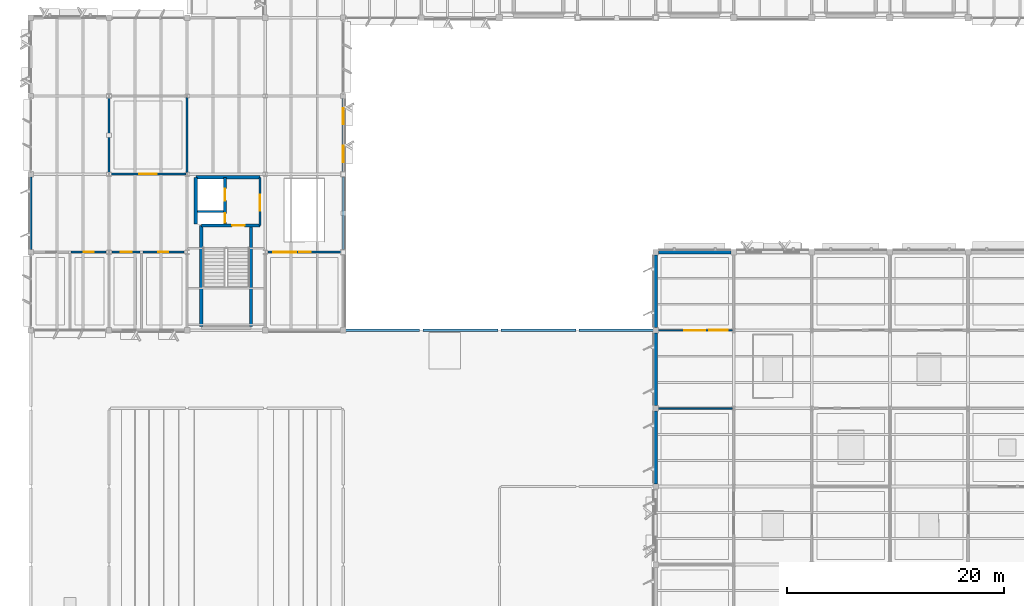
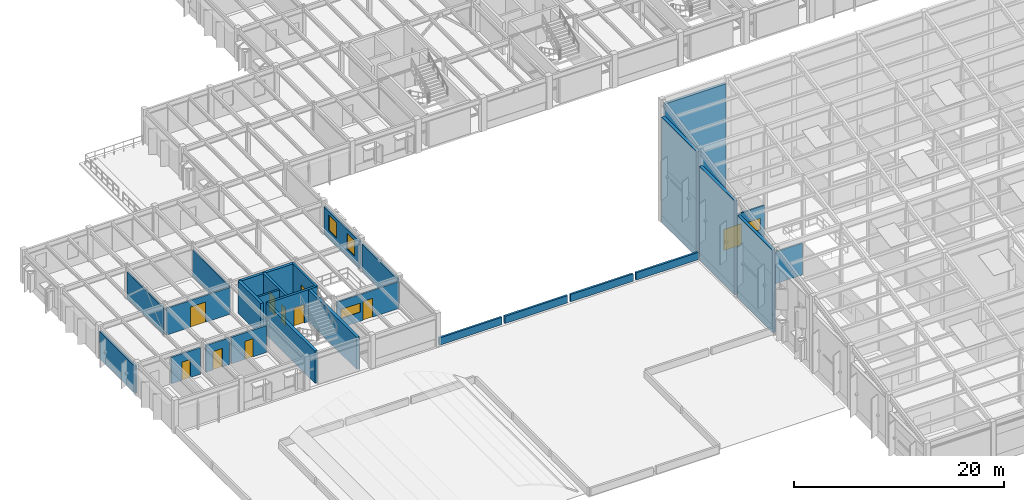
# One storey, part 32 of 82: 28 walls, 10 doors, 4 windows, 14 openings.
"""IFC4 building model written with IfcOpenShell, lengths in metres."""

import ifcopenshell
import ifcopenshell.guid

model = None  # the IFC model being written
_history = None  # IfcOwnerHistory: only IFC2X3 demands one
_inside = {}  # id of a spatial element -> (the spatial element, [elements in it])
_under = {}  # id of a project, library or spatial element -> (it, [spatial elements below it])
_declared = {}  # id of a project -> (the project, [libraries it declares])
_typed = {}  # id of a type object -> (the type object, [elements of that type])
_made_of = {}  # id of a material, layer set ... -> (it, [elements and type objects made of it])


def new_model(schema):
    """Start an empty IFC model of exactly this schema.

    Asked for "IFC4X3", IfcOpenShell would pick the latest addendum, in which some entities
    have other attributes; the version numbers below select the first issue.
    IFC2X3 requires an IfcOwnerHistory on every rooted entity: one is made here for all.
    """
    global model, _history
    if schema == "IFC4X3":
        model = ifcopenshell.file(schema_version=(4, 3, 0, 0))
    else:
        model = ifcopenshell.file(schema=schema)
    _inside.clear()
    _under.clear()
    _declared.clear()
    _typed.clear()
    _made_of.clear()
    _history = None
    if model.schema == "IFC2X3":
        org = make("IfcOrganization", Name="unknown")
        user = make(
            "IfcPersonAndOrganization",
            ThePerson=make("IfcPerson", FamilyName="unknown"),
            TheOrganization=org,
        )
        app = make(
            "IfcApplication",
            ApplicationDeveloper=org,
            Version="unknown",
            ApplicationFullName="unknown",
            ApplicationIdentifier="unknown",
        )
        _history = make(
            "IfcOwnerHistory",
            OwningUser=user,
            OwningApplication=app,
            ChangeAction="ADDED",
            CreationDate=0,
        )
    return model


def make(cls, **values):
    """One entity of the class cls with the attributes given. An attribute that is None is left unset."""
    return model.create_entity(
        cls, **{name: value for name, value in values.items() if value is not None}
    )


def rooted(cls, **values):
    """An entity with a GlobalId (a new one), such as an element, a storey or a relation."""
    return make(cls, GlobalId=ifcopenshell.guid.new(), OwnerHistory=_history, **values)


def si_unit(unit_type, name, prefix=None):
    """IfcSIUnit, for example si_unit("LENGTHUNIT", "METRE", prefix="MILLI")."""
    return make("IfcSIUnit", UnitType=unit_type, Prefix=prefix, Name=name)


def assignment(units):
    """IfcUnitAssignment: the units of a project."""
    return None if units is None else make("IfcUnitAssignment", Units=units)


def point(xyz):
    """IfcCartesianPoint."""
    return None if xyz is None else make("IfcCartesianPoint", Coordinates=xyz)


def direction(xyz):
    """IfcDirection."""
    return None if xyz is None else make("IfcDirection", DirectionRatios=xyz)


def frame(location, z_axis=None, x_axis=None):
    """IfcAxis2Placement3D, a coordinate frame: its origin and axes. An axis left out is left unset."""
    return make(
        "IfcAxis2Placement3D",
        Location=point(location),
        Axis=direction(z_axis),
        RefDirection=direction(x_axis),
    )


def frame_2d(location, x_axis=None):
    """IfcAxis2Placement2D, a coordinate frame in the plane: its origin and x axis."""
    return make(
        "IfcAxis2Placement2D", Location=point(location), RefDirection=direction(x_axis)
    )


def origin():
    """The frame at (0, 0, 0) with its axes left unset."""
    return frame((0.0, 0.0, 0.0))


def place(relative_to, where):
    """IfcLocalPlacement: puts the frame where relative to a parent placement (None: the world)."""
    return make(
        "IfcLocalPlacement", PlacementRelTo=relative_to, RelativePlacement=where
    )


def context(
    kind, dimensions, precision=None, world=None, true_north=None, identifier=None
):
    """IfcGeometricRepresentationContext, for example the 3D "Model" context."""
    return make(
        "IfcGeometricRepresentationContext",
        ContextIdentifier=identifier,
        ContextType=kind,
        CoordinateSpaceDimension=dimensions,
        Precision=precision,
        WorldCoordinateSystem=world,
        TrueNorth=true_north,
    )


def subcontext(parent, identifier, kind, view, scale=None):
    """IfcGeometricRepresentationSubContext, for example "Body" below "Model"."""
    return make(
        "IfcGeometricRepresentationSubContext",
        ContextIdentifier=identifier,
        ContextType=kind,
        ParentContext=parent,
        TargetScale=scale,
        TargetView=view,
    )


def project(units=None, contexts=None):
    """IfcProject with its units and contexts."""
    return rooted(
        "IfcProject",
        Name="project",
        RepresentationContexts=contexts,
        UnitsInContext=assignment(units),
    )


def spatial(cls, under=None, at=None, **own):
    """A site, building, storey or space (cls), placed at a placement, below another one or the project."""
    s = rooted(cls, ObjectPlacement=at, **own)
    if under is not None:
        _under.setdefault(under.id(), (under, []))[1].append(s)
    return s


def profile(cls, at=None, kind="AREA", **sizes):
    """A parametric profile (cls). Its sizes go by their IFC names, for example OverallWidth=200.0."""
    return make(cls, ProfileType=kind, Position=at, **sizes)


def rectangle(**sizes):
    """IfcRectangleProfileDef."""
    return profile("IfcRectangleProfileDef", **sizes)


def extrude(swept, where, along, depth):
    """IfcExtrudedAreaSolid: the profile swept, set in the frame where, extruded along a direction by depth."""
    return make(
        "IfcExtrudedAreaSolid",
        SweptArea=swept,
        Position=where,
        ExtrudedDirection=direction(along),
        Depth=depth,
    )


def shape(context_of_items, identifier, shape_type, items):
    """IfcShapeRepresentation: the items that make up one representation, for example the "Body"."""
    return make(
        "IfcShapeRepresentation",
        ContextOfItems=context_of_items,
        RepresentationIdentifier=identifier,
        RepresentationType=shape_type,
        Items=items,
    )


def material(Name=None, Category=None):
    """IfcMaterial."""
    return make("IfcMaterial", Name=Name, Category=Category)


def layer(
    of_material, thickness, ventilated=None, Name=None, Category=None, Priority=None
):
    """IfcMaterialLayer: one layer of a wall or slab, of a material (None: an air gap)."""
    return make(
        "IfcMaterialLayer",
        Material=of_material,
        LayerThickness=thickness,
        IsVentilated=ventilated,
        Name=Name,
        Category=Category,
        Priority=Priority,
    )


def layer_set(layers, Name=None):
    """IfcMaterialLayerSet."""
    return make("IfcMaterialLayerSet", MaterialLayers=layers, LayerSetName=Name)


def made_of(thing, what):
    """Note that an element or type object is made of a material, layer set ...; save() writes the relation."""
    if what is not None:
        _made_of.setdefault(what.id(), (what, []))[1].append(thing)
    return thing


def type_object(cls, material=None, **own):
    """A type object (cls), such as IfcWallType, which elements share."""
    return made_of(rooted(cls, **own), material)


def element(
    cls,
    number,
    at=None,
    inside=None,
    cuts=None,
    type_object=None,
    material=None,
    context=None,
    identifier="Body",
    shape_type=None,
    held_by="IfcProductDefinitionShape",
    body=None,
    shapes=None,
    **own,
):
    """One element of the class cls, such as IfcWall. Its Tag is "e" and its number.

    at: its placement. inside: the storey or other place that contains it. cuts: it is an
    opening in that element (IfcRelVoidsElement). A single representation is given by context,
    identifier, shape_type and body (its items); several are given by shapes. held_by: the class
    of the entity that holds the representations. save() writes the other relations.
    """
    e = rooted(cls, Tag="e%d" % number, ObjectPlacement=at, **own)
    if body is not None:
        shapes = [shape(context, identifier, shape_type, body)]
    if shapes is not None:
        e.Representation = make(held_by, Representations=shapes)
    if inside is not None:
        _inside.setdefault(inside.id(), (inside, []))[1].append(e)
    if cuts is not None:
        rooted(
            "IfcRelVoidsElement", RelatingBuildingElement=cuts, RelatedOpeningElement=e
        )
    if type_object is not None:
        _typed.setdefault(type_object.id(), (type_object, []))[1].append(e)
    return made_of(e, material)


def fill(opening, filler):
    """IfcRelFillsElement: the door or window that sits in an opening."""
    return rooted(
        "IfcRelFillsElement",
        RelatingOpeningElement=opening,
        RelatedBuildingElement=filler,
    )


def aggregate(whole, parts):
    """IfcRelAggregates: a whole, such as a stair, and the parts it consists of."""
    return rooted("IfcRelAggregates", RelatingObject=whole, RelatedObjects=parts)


def save(model, path):
    """Write the relations noted so far, then the file.

    IfcRelAggregates (storeys below a building ...), IfcRelContainedInSpatialStructure (elements
    in a storey), IfcRelDefinesByType, IfcRelAssociatesMaterial and IfcRelDeclares: one each for
    every whole, place, type object, material and project.
    """
    for whole, parts in _under.values():
        aggregate(whole, parts)
    for where, things in _inside.values():
        rooted(
            "IfcRelContainedInSpatialStructure",
            RelatedElements=things,
            RelatingStructure=where,
        )
    for kind, things in _typed.values():
        rooted("IfcRelDefinesByType", RelatedObjects=things, RelatingType=kind)
    for what, things in _made_of.values():
        rooted("IfcRelAssociatesMaterial", RelatedObjects=things, RelatingMaterial=what)
    for by, libraries in _declared.values():
        rooted("IfcRelDeclares", RelatingContext=by, RelatedDefinitions=libraries)
    model.write(path)


model = new_model("IFC4")

# Units and contexts
model_context = context("Model", 3, precision=1e-05, world=origin(), true_north=direction((0.0, 1.0)))
body_context = subcontext(model_context, "Body", "Model", "MODEL_VIEW")
ifc_project = project(units=[si_unit("LENGTHUNIT", "METRE"), si_unit("AREAUNIT", "SQUARE_METRE"), si_unit("VOLUMEUNIT", "CUBIC_METRE"), si_unit("PLANEANGLEUNIT", "RADIAN"), si_unit("MASSUNIT", "GRAM", prefix="KILO")], contexts=[model_context])

# Site, building, storey
site_placement = place(None, origin())
site = spatial("IfcSite", under=ifc_project, at=site_placement, CompositionType="ELEMENT")
building_placement = place(site_placement, origin())
building = spatial("IfcBuilding", under=site, at=building_placement, Name="Sillqori Civic Hall", CompositionType="ELEMENT")
storey_placement = place(building_placement, frame((0.0, 0.0, 14.10009765625)))
storey = spatial("IfcBuildingStorey", under=building, at=storey_placement, Name="L04", CompositionType="ELEMENT", Elevation=14.10009765625)

# Wall
ifc_material_1 = material(Name="Concrete C35/45 (H35)", Category="concrete")
ifc_layer_1 = layer(ifc_material_1, 0.219970703125)
ifc_layer_set_1 = layer_set([ifc_layer_1], Name="Concrete C35/45 (H35)")
wall_type_1 = type_object("IfcWallType", Name="CW-SHR-220", PredefinedType="SHEAR", material=ifc_layer_set_1)
wall_1_placement = place(storey_placement, frame((22.550048828125, 61.35009765625, 0.0), z_axis=(0.0, 0.0, 1.0), x_axis=(1.0, 0.0, 0.0)))
element("IfcWall", 1, at=wall_1_placement, inside=storey, type_object=wall_type_1, Name="L04 C4 Lift-riser divider wall", PredefinedType="SHEAR", context=body_context, shape_type="SweptSolid", body=[
    extrude(rectangle(XDim=2.39990234375, YDim=0.219970703125, at=frame_2d((1.199951171875, 0.0))), origin(), (0.0, 0.0, 1.0), 3.719970703125),
])

# Wall, opening, door
wall_2_placement = place(storey_placement, frame((28.320068359375, 64.5, 0.0), z_axis=(0.0, 0.0, 1.0), x_axis=(0.0, -1.0, 0.0)))
wall_2 = element("IfcWall", 2, at=wall_2_placement, inside=storey, type_object=wall_type_1, Name="L04 C4 firefighting lobby enclosure wall", PredefinedType="SHEAR", context=body_context, shape_type="SweptSolid", body=[
    extrude(rectangle(XDim=4.449951171875, YDim=0.219970703125, at=frame_2d((2.22509765625, 0.0))), origin(), (0.0, 0.0, 1.0), 3.719970703125),
])
opening_1_placement = place(wall_2_placement, frame((1.625, 0.0, 0.0)))
opening_1 = element("IfcOpeningElement", 3, at=opening_1_placement, cuts=wall_2, Name="Opening FD-03", PredefinedType="OPENING", context=body_context, shape_type="SweptSolid", body=[
    extrude(rectangle(XDim=1.449951171875, YDim=2.199951171875, at=frame_2d((0.72509765625, 1.10009765625))), frame((0.0, 0.119873046875, 0.0), z_axis=(0.0, -1.0, 0.0), x_axis=(1.0, 0.0, 0.0)), (0.0, 0.0, 1.0), 0.239990234375),
])
ifc_material_2 = material(Name="Double-Leaf Smoke-Seal Lobby Door", Category="steel")
door_type_1 = type_object("IfcDoorType", Name="FDR-LOB-145X220", OperationType="NOTDEFINED", PredefinedType="DOOR", material=ifc_material_2)
door_1_placement = place(opening_1_placement, origin())
door_1 = element("IfcDoor", 4, at=door_1_placement, inside=storey, type_object=door_type_1, Name="L04 C4 firefighting lobby exit door", OperationType="DOUBLE_DOOR_SINGLE_SWING", OverallHeight=2.199951171875, OverallWidth=1.449951171875, PredefinedType="DOOR", context=body_context, shape_type="SweptSolid", body=[
    extrude(rectangle(XDim=1.449951171875, YDim=2.199951171875, at=frame_2d((0.72509765625, 1.10009765625))), frame((0.0, 0.02490234375, 0.0), z_axis=(0.0, -1.0, 0.0), x_axis=(1.0, 0.0, 0.0)), (0.0, 0.0, 1.0), 0.050048828125),
])
fill(opening_1, door_1)

ifc_layer_2 = layer(ifc_material_1, 0.260009765625)
ifc_layer_set_2 = layer_set([ifc_layer_2], Name="Concrete C35/45 (H35)")
wall_type_2 = type_object("IfcWallType", Name="CW-SHR-260", PredefinedType="SHEAR", material=ifc_layer_set_2)
wall_3_placement = place(storey_placement, frame((22.909912109375, 60.050048828125, 0.0), z_axis=(0.0, 0.0, 1.0), x_axis=(1.0, 0.0, 0.0)))
wall_3 = element("IfcWall", 5, at=wall_3_placement, inside=storey, type_object=wall_type_2, Name="L04 C4 Stair-lobby fire wall", PredefinedType="SHEAR", context=body_context, shape_type="SweptSolid", body=[
    extrude(rectangle(XDim=5.41015625, YDim=0.260009765625, at=frame_2d((2.705078125, 0.0))), origin(), (0.0, 0.0, 1.0), 3.719970703125),
])
opening_2_placement = place(wall_3_placement, frame((2.840087890625, 0.0, 0.0)))
opening_2 = element("IfcOpeningElement", 6, at=opening_2_placement, cuts=wall_3, Name="Opening FD-01", PredefinedType="OPENING", context=body_context, shape_type="SweptSolid", body=[
    extrude(rectangle(XDim=1.14990234375, YDim=2.14990234375, at=frame_2d((0.574951171875, 1.074951171875))), frame((0.0, 0.139892578125, 0.0), z_axis=(0.0, -1.0, 0.0), x_axis=(1.0, 0.0, 0.0)), (0.0, 0.0, 1.0), 0.280029296875),
])
ifc_material_3 = material(Name="Galvanized Steel Fire Door FD90S", Category="steel")
door_type_2 = type_object("IfcDoorType", Name="FDR-STR-115X215", OperationType="NOTDEFINED", PredefinedType="DOOR", material=ifc_material_3)
door_2_placement = place(opening_2_placement, origin())
door_2 = element("IfcDoor", 7, at=door_2_placement, inside=storey, type_object=door_type_2, Name="L04 stair ST-04 fire door", OperationType="SINGLE_SWING_RIGHT", OverallHeight=2.14990234375, OverallWidth=1.14990234375, PredefinedType="DOOR", context=body_context, shape_type="SweptSolid", body=[
    extrude(rectangle(XDim=1.14990234375, YDim=2.14990234375, at=frame_2d((0.574951171875, 1.074951171875))), frame((0.0, 0.02490234375, 0.0), z_axis=(0.0, -1.0, 0.0), x_axis=(1.0, 0.0, 0.0)), (0.0, 0.0, 1.0), 0.050048828125),
])
fill(opening_2, door_2)

# Wall, openings, doors
wall_4_placement = place(storey_placement, frame((25.10009765625, 64.5, 0.0), z_axis=(0.0, 0.0, 1.0), x_axis=(0.0, -1.0, 0.0)))
wall_4 = element("IfcWall", 8, at=wall_4_placement, inside=storey, type_object=wall_type_2, Name="L04 C4 Lift landing & riser front wall", PredefinedType="SHEAR", context=body_context, shape_type="SweptSolid", body=[
    extrude(rectangle(XDim=4.320068359375, YDim=0.260009765625, at=frame_2d((2.16015625, 0.0))), origin(), (0.0, 0.0, 1.0), 3.719970703125),
])
opening_3_placement = place(wall_4_placement, frame((1.050048828125, 0.0, 0.0)))
opening_3 = element("IfcOpeningElement", 9, at=opening_3_placement, cuts=wall_4, Name="Opening LD-01", PredefinedType="OPENING", context=body_context, shape_type="SweptSolid", body=[
    extrude(rectangle(XDim=1.10009765625, YDim=2.14990234375, at=frame_2d((0.550048828125, 1.074951171875))), frame((0.0, 0.139892578125, 0.0), z_axis=(0.0, -1.0, 0.0), x_axis=(1.0, 0.0, 0.0)), (0.0, 0.0, 1.0), 0.280029296875),
])
opening_4_placement = place(wall_4_placement, frame((3.324951171875, 0.0, 0.0)))
opening_4 = element("IfcOpeningElement", 10, at=opening_4_placement, cuts=wall_4, Name="Opening FD-05", PredefinedType="OPENING", context=body_context, shape_type="SweptSolid", body=[
    extrude(rectangle(XDim=0.85009765625, YDim=2.050048828125, at=frame_2d((0.425048828125, 1.02490234375))), frame((0.0, 0.139892578125, 0.0), z_axis=(0.0, -1.0, 0.0), x_axis=(1.0, 0.0, 0.0)), (0.0, 0.0, 1.0), 0.280029296875),
])
ifc_material_4 = material(Name="Steel Riser Access Fire Door", Category="steel")
door_type_3 = type_object("IfcDoorType", Name="FDR-RSR-085X205", OperationType="NOTDEFINED", PredefinedType="DOOR", material=ifc_material_4)
door_3_placement = place(opening_4_placement, origin())
door_3 = element("IfcDoor", 11, at=door_3_placement, inside=storey, type_object=door_type_3, Name="L04 MEP riser C4 fire access door", OperationType="SINGLE_SWING_LEFT", OverallHeight=2.050048828125, OverallWidth=0.85009765625, PredefinedType="DOOR", context=body_context, shape_type="SweptSolid", body=[
    extrude(rectangle(XDim=0.85009765625, YDim=2.050048828125, at=frame_2d((0.425048828125, 1.02490234375))), frame((0.0, 0.02490234375, 0.0), z_axis=(0.0, -1.0, 0.0), x_axis=(1.0, 0.0, 0.0)), (0.0, 0.0, 1.0), 0.050048828125),
])
fill(opening_4, door_3)
ifc_material_5 = material(Name="Stainless Steel Lift Landing Door", Category="steel")
door_type_4 = type_object("IfcDoorType", Name="LDR-PASS-110X215", OperationType="NOTDEFINED", PredefinedType="DOOR", material=ifc_material_5)
door_4_placement = place(opening_3_placement, origin())
door_4 = element("IfcDoor", 12, at=door_4_placement, inside=storey, type_object=door_type_4, Name="L04 lift LF-06 sliding landing door", OperationType="DOUBLE_DOOR_SLIDING", OverallHeight=2.14990234375, OverallWidth=1.10009765625, PredefinedType="DOOR", context=body_context, shape_type="SweptSolid", body=[
    extrude(rectangle(XDim=1.10009765625, YDim=2.14990234375, at=frame_2d((0.550048828125, 1.074951171875))), frame((0.0, 0.02490234375, 0.0), z_axis=(0.0, -1.0, 0.0), x_axis=(1.0, 0.0, 0.0)), (0.0, 0.0, 1.0), 0.050048828125),
])
fill(opening_3, door_4)

# Walls
ifc_layer_3 = layer(ifc_material_1, 0.300048828125)
ifc_layer_set_3 = layer_set([ifc_layer_3], Name="Concrete C35/45 (H35)")
wall_type_3 = type_object("IfcWallType", Name="CW-SHR-300", PredefinedType="SHEAR", material=ifc_layer_set_3)
for number, where, z_axis, x_axis, name in (
    (13, (22.909912109375, 50.75, 0.0), (0.0, 0.0, 1.0), (0.0, 1.0, 0.0), "L04 C4 Stair west shear wall"),
    (14, (27.489990234375, 50.75, 0.0), (0.0, 0.0, 1.0), (0.0, 1.0, 0.0), "L04 C4 Stair east shear wall"),
):
    element("IfcWall", number, at=place(storey_placement, frame(where, z_axis=z_axis, x_axis=x_axis)), inside=storey, type_object=wall_type_3, Name=name, PredefinedType="SHEAR", context=body_context, shape_type="SweptSolid", body=[
        extrude(rectangle(XDim=9.300048828125, YDim=0.300048828125, at=frame_2d((4.64990234375, 0.0))), origin(), (0.0, 0.0, 1.0), 3.719970703125),
    ])
wall_5_placement = place(storey_placement, frame((22.39990234375, 60.179931640625, 0.0), z_axis=(0.0, 0.0, 1.0), x_axis=(0.0, 1.0, 0.0)))
element("IfcWall", 15, at=wall_5_placement, inside=storey, type_object=wall_type_3, Name="L04 C4 Lift shaft west shear wall", PredefinedType="SHEAR", context=body_context, shape_type="SweptSolid", body=[
    extrude(rectangle(XDim=4.320068359375, YDim=0.300048828125, at=frame_2d((2.16015625, 0.0))), origin(), (0.0, 0.0, 1.0), 3.719970703125),
])
wall_6_placement = place(storey_placement, frame((22.39990234375, 64.5, 0.0), z_axis=(0.0, 0.0, 1.0), x_axis=(1.0, 0.0, 0.0)))
element("IfcWall", 16, at=wall_6_placement, inside=storey, type_object=wall_type_3, Name="L04 C4 Core north shear wall", PredefinedType="SHEAR", context=body_context, shape_type="SweptSolid", body=[
    extrude(rectangle(XDim=5.920166015625, YDim=0.300048828125, at=frame_2d((2.9599609375, 0.0))), origin(), (0.0, 0.0, 1.0), 3.719970703125),
])
ifc_material_6 = material(Name="Precast concrete C40/50 (H40)", Category="concrete")
ifc_layer_4 = layer(ifc_material_6, 0.320068359375)
ifc_layer_set_4 = layer_set([ifc_layer_4], Name="Precast concrete C40/50 (H40)")
wall_type_4 = type_object("IfcWallType", Name="EW-LIME-320", PredefinedType="SOLIDWALL", material=ifc_layer_set_4)
wall_7_placement = place(storey_placement, frame((64.800048828125, 36.25, 0.0), z_axis=(0.0, 0.0, 1.0), x_axis=(0.0, 1.0, 0.0)))
element("IfcWall", 17, at=wall_7_placement, inside=storey, type_object=wall_type_4, Name="L04 V2 exterior wall L04-09-05-W", PredefinedType="SOLIDWALL", context=body_context, shape_type="SweptSolid", body=[
    extrude(rectangle(XDim=6.699951171875, YDim=0.320068359375, at=frame_2d((3.35009765625, 0.0))), origin(), (0.0, 0.0, 1.0), 9.564697265625),
])
wall_8_placement = place(storey_placement, frame((64.800048828125, 43.449951171875, 0.0), z_axis=(0.0, 0.0, 1.0), x_axis=(0.0, 1.0, 0.0)))
element("IfcWall", 18, at=wall_8_placement, inside=storey, type_object=wall_type_4, Name="L04 V2 exterior wall L04-09-06-W", PredefinedType="SOLIDWALL", context=body_context, shape_type="SweptSolid", body=[
    extrude(rectangle(XDim=6.699951171875, YDim=0.320068359375, at=frame_2d((3.35009765625, 0.0))), origin(), (0.0, 0.0, 1.0), 10.907470703125),
])
wall_9_placement = place(storey_placement, frame((65.050048828125, 57.60009765625, 0.0), z_axis=(0.0, 0.0, 1.0), x_axis=(1.0, 0.0, 0.0)))
element("IfcWall", 19, at=wall_9_placement, inside=storey, type_object=wall_type_4, Name="L04 V2 exterior wall L04-09-07-N", PredefinedType="SOLIDWALL", context=body_context, shape_type="SweptSolid", body=[
    extrude(rectangle(XDim=6.699951171875, YDim=0.320068359375, at=frame_2d((3.35009765625, 0.0))), origin(), (0.0, 0.0, 1.0), 13.549072265625),
])
wall_10_placement = place(storey_placement, frame((64.800048828125, 50.64990234375, 0.0), z_axis=(0.0, 0.0, 1.0), x_axis=(0.0, 1.0, 0.0)))
element("IfcWall", 20, at=wall_10_placement, inside=storey, type_object=wall_type_4, Name="L04 V2 exterior wall L04-09-07-W", PredefinedType="SOLIDWALL", context=body_context, shape_type="SweptSolid", body=[
    extrude(rectangle(XDim=6.7001953125, YDim=0.320068359375, at=frame_2d((3.35009765625, 0.0))), origin(), (0.0, 0.0, 1.0), 12.25048828125),
])
ifc_material_7 = material(Name="Concrete C30/37 (H30)", Category="concrete")
ifc_layer_5 = layer(ifc_material_7, 0.239990234375)
ifc_layer_set_5 = layer_set([ifc_layer_5], Name="Concrete C30/37 (H30)")
wall_type_5 = type_object("IfcWallType", Name="EW-MAS-240", PredefinedType="SOLIDWALL", material=ifc_layer_set_5)
wall_11_placement = place(storey_placement, frame((7.199951171875, 57.85009765625, 0.0), z_axis=(0.0, 0.0, 1.0), x_axis=(0.0, 1.0, 0.0)))
element("IfcWall", 21, at=wall_11_placement, inside=storey, type_object=wall_type_5, Name="L04 V5 exterior wall L04-01-08-W", PredefinedType="SOLIDWALL", context=body_context, shape_type="SweptSolid", body=[
    extrude(rectangle(XDim=6.699951171875, YDim=0.239990234375, at=frame_2d((3.35009765625, 0.0))), origin(), (0.0, 0.0, 1.0), 3.171875),
])
wall_12_placement = place(storey_placement, frame((36.0, 64.550048828125, 0.0), z_axis=(0.0, 0.0, 1.0), x_axis=(0.0, -1.0, 0.0)))
element("IfcWall", 22, at=wall_12_placement, inside=storey, type_object=wall_type_5, Name="L04 V5 exterior wall L04-04-08-E", PredefinedType="SOLIDWALL", context=body_context, shape_type="SweptSolid", body=[
    extrude(rectangle(XDim=6.699951171875, YDim=0.239990234375, at=frame_2d((3.35009765625, 0.0))), origin(), (0.0, 0.0, 1.0), 3.19189453125),
])

# Wall, openings, windows
wall_13_placement = place(storey_placement, frame((36.0, 71.75, 0.0), z_axis=(0.0, 0.0, 1.0), x_axis=(0.0, -1.0, 0.0)))
wall_13 = element("IfcWall", 23, at=wall_13_placement, inside=storey, type_object=wall_type_5, Name="L04 V5 exterior wall L04-04-09-E", PredefinedType="SOLIDWALL", context=body_context, shape_type="SweptSolid", body=[
    extrude(rectangle(XDim=6.699951171875, YDim=0.239990234375, at=frame_2d((3.35009765625, 0.0))), origin(), (0.0, 0.0, 1.0), 3.19189453125),
])
opening_5_placement = place(wall_13_placement, frame((0.85791015625, 0.0, 0.949951171875)))
opening_5 = element("IfcOpeningElement", 24, at=opening_5_placement, cuts=wall_13, Name="Opening W-19", PredefinedType="OPENING", context=body_context, shape_type="SweptSolid", body=[
    extrude(rectangle(XDim=1.5, YDim=1.800048828125, at=frame_2d((0.75, 0.89990234375))), frame((0.0, 0.1298828125, 0.0), z_axis=(0.0, -1.0, 0.0), x_axis=(1.0, 0.0, 0.0)), (0.0, 0.0, 1.0), 0.260009765625),
])
opening_6_placement = place(wall_13_placement, frame((4.342041015625, 0.0, 0.949951171875)))
opening_6 = element("IfcOpeningElement", 25, at=opening_6_placement, cuts=wall_13, Name="Opening W-19", PredefinedType="OPENING", context=body_context, shape_type="SweptSolid", body=[
    extrude(rectangle(XDim=1.5, YDim=1.800048828125, at=frame_2d((0.75, 0.89990234375))), frame((0.0, 0.1298828125, 0.0), z_axis=(0.0, -1.0, 0.0), x_axis=(1.0, 0.0, 0.0)), (0.0, 0.0, 1.0), 0.260009765625),
])
ifc_material_8 = material(Name="Thermally Broken Aluminium Low-E Window", Category="aluminium")
window_type_1 = type_object("IfcWindowType", Name="WIN-V5-150X180", PartitioningType="SINGLE_PANEL", PredefinedType="WINDOW", material=ifc_material_8)
window_1_placement = place(opening_5_placement, origin())
window_1 = element("IfcWindow", 26, at=window_1_placement, inside=storey, type_object=window_type_1, Name="L04 V5 window L04-04-09-E.1", OverallHeight=1.800048828125, OverallWidth=1.5, PartitioningType="SINGLE_PANEL", PredefinedType="WINDOW", context=body_context, shape_type="SweptSolid", body=[
    extrude(rectangle(XDim=1.5, YDim=1.800048828125, at=frame_2d((0.75, 0.89990234375))), frame((0.0, 0.030029296875, 0.0), z_axis=(0.0, -1.0, 0.0), x_axis=(1.0, 0.0, 0.0)), (0.0, 0.0, 1.0), 0.06005859375),
])
fill(opening_5, window_1)
window_2_placement = place(opening_6_placement, origin())
window_2 = element("IfcWindow", 27, at=window_2_placement, inside=storey, type_object=window_type_1, Name="L04 V5 window L04-04-09-E.2", OverallHeight=1.800048828125, OverallWidth=1.5, PartitioningType="SINGLE_PANEL", PredefinedType="WINDOW", context=body_context, shape_type="SweptSolid", body=[
    extrude(rectangle(XDim=1.5, YDim=1.800048828125, at=frame_2d((0.75, 0.89990234375))), frame((0.0, 0.030029296875, 0.0), z_axis=(0.0, -1.0, 0.0), x_axis=(1.0, 0.0, 0.0)), (0.0, 0.0, 1.0), 0.06005859375),
])
fill(opening_6, window_2)

# Wall, opening, door
ifc_material_9 = material(Name="Committee Acoustic Baffle Wall 162", Category="gypsum")
ifc_layer_6 = layer(ifc_material_9, 0.162109375)
ifc_layer_set_6 = layer_set([ifc_layer_6], Name="Committee Acoustic Baffle Wall 162")
wall_type_6 = type_object("IfcWallType", Name="PT-GYP-162", PredefinedType="PARTITIONING", material=ifc_layer_set_6)
wall_14_placement = place(storey_placement, frame((21.47998046875, 64.800048828125, 0.0), z_axis=(0.0, 0.0, 1.0), x_axis=(-1.0, 0.0, 0.0)))
wall_14 = element("IfcWall", 28, at=wall_14_placement, inside=storey, type_object=wall_type_6, Name="Ethics and Oversight Committee Room partition S1", PredefinedType="PARTITIONING", context=body_context, shape_type="SweptSolid", body=[
    extrude(rectangle(XDim=6.9599609375, YDim=0.162109375, at=frame_2d((3.47998046875, 0.0))), origin(), (0.0, 0.0, 1.0), 3.10791015625),
])
opening_7_placement = place(wall_14_placement, frame((2.655029296875, 0.0, 0.0)))
opening_7 = element("IfcOpeningElement", 29, at=opening_7_placement, cuts=wall_14, Name="Opening ID-04", PredefinedType="OPENING", context=body_context, shape_type="SweptSolid", body=[
    extrude(rectangle(XDim=1.64990234375, YDim=2.35009765625, at=frame_2d((0.824951171875, 1.175048828125))), frame((0.0, 0.091064453125, 0.0), z_axis=(0.0, -1.0, 0.0), x_axis=(1.0, 0.0, 0.0)), (0.0, 0.0, 1.0), 0.18212890625),
])
ifc_material_10 = material(Name="Caucus Salon Acoustic Double Door", Category="timber")
door_type_5 = type_object("IfcDoorType", Name="IDR-COM-165X235", OperationType="NOTDEFINED", PredefinedType="DOOR", material=ifc_material_10)
door_5_placement = place(opening_7_placement, origin())
door_5 = element("IfcDoor", 30, at=door_5_placement, inside=storey, type_object=door_type_5, Name="Ethics and Oversight Committee Room entrance door", OperationType="DOUBLE_DOOR_SINGLE_SWING", OverallHeight=2.35009765625, OverallWidth=1.64990234375, PredefinedType="DOOR", context=body_context, shape_type="SweptSolid", body=[
    extrude(rectangle(XDim=1.64990234375, YDim=2.35009765625, at=frame_2d((0.824951171875, 1.175048828125))), frame((0.0, 0.02490234375, 0.0), z_axis=(0.0, -1.0, 0.0), x_axis=(1.0, 0.0, 0.0)), (0.0, 0.0, 1.0), 0.050048828125),
])
fill(opening_7, door_5)

# Walls
wall_15_placement = place(storey_placement, frame((14.39990234375, 64.919921875, 0.0), z_axis=(0.0, 0.0, 1.0), x_axis=(0.0, 1.0, 0.0)))
element("IfcWall", 31, at=wall_15_placement, inside=storey, type_object=wall_type_6, Name="Ethics and Oversight Committee Room partition W3", PredefinedType="PARTITIONING", context=body_context, shape_type="SweptSolid", body=[
    extrude(rectangle(XDim=6.9599609375, YDim=0.162109375, at=frame_2d((3.47998046875, 0.0))), origin(), (0.0, 0.0, 1.0), 3.087890625),
])
wall_16_placement = place(storey_placement, frame((21.60009765625, 71.8798828125, 0.0), z_axis=(0.0, 0.0, 1.0), x_axis=(0.0, -1.0, 0.0)))
element("IfcWall", 32, at=wall_16_placement, inside=storey, type_object=wall_type_6, Name="Ethics and Oversight Committee Room partition E4", PredefinedType="PARTITIONING", context=body_context, shape_type="SweptSolid", body=[
    extrude(rectangle(XDim=6.9599609375, YDim=0.162109375, at=frame_2d((3.47998046875, 0.0))), origin(), (0.0, 0.0, 1.0), 3.10791015625),
])

# Wall, openings, door, window
ifc_material_11 = material(Name="Concrete C25/30 (H25)", Category="concrete")
ifc_layer_7 = layer(ifc_material_11, 0.175048828125)
ifc_layer_set_7 = layer_set([ifc_layer_7], Name="Concrete C25/30 (H25)")
wall_type_7 = type_object("IfcWallType", Name="PT-MAS-175", PredefinedType="PARTITIONING", material=ifc_layer_set_7)
wall_17_placement = place(storey_placement, frame((29.080078125, 57.60009765625, 0.0), z_axis=(0.0, 0.0, 1.0), x_axis=(1.0, 0.0, 0.0)))
wall_17 = element("IfcWall", 33, at=wall_17_placement, inside=storey, type_object=wall_type_7, Name="Councillors Legislative Research Suite partition N1", PredefinedType="PARTITIONING", context=body_context, shape_type="SweptSolid", body=[
    extrude(rectangle(XDim=6.7998046875, YDim=0.175048828125, at=frame_2d((3.39990234375, 0.0))), origin(), (0.0, 0.0, 1.0), 3.10791015625),
])
opening_8_placement = place(wall_17_placement, frame((2.8701171875, 0.0, 0.0)))
opening_8 = element("IfcOpeningElement", 34, at=opening_8_placement, cuts=wall_17, Name="Opening ID-26", PredefinedType="OPENING", context=body_context, shape_type="SweptSolid", body=[
    extrude(rectangle(XDim=1.06005859375, YDim=2.179931640625, at=frame_2d((0.530029296875, 1.08984375))), frame((0.0, 0.097412109375, 0.0), z_axis=(0.0, -1.0, 0.0), x_axis=(1.0, 0.0, 0.0)), (0.0, 0.0, 1.0), 0.195068359375),
])
opening_9_placement = place(wall_17_placement, frame((0.449951171875, 0.0, 1.050048828125)))
opening_9 = element("IfcOpeningElement", 35, at=opening_9_placement, cuts=wall_17, Name="Opening IW-35", PredefinedType="OPENING", context=body_context, shape_type="SweptSolid", body=[
    extrude(rectangle(XDim=2.1201171875, YDim=1.06005859375, at=frame_2d((1.06005859375, 0.530029296875))), frame((0.0, 0.097412109375, 0.0), z_axis=(0.0, -1.0, 0.0), x_axis=(1.0, 0.0, 0.0)), (0.0, 0.0, 1.0), 0.195068359375),
])
ifc_material_12 = material(Name="Directorate Cedar Door 1060", Category="timber")
door_type_6 = type_object("IfcDoorType", Name="IDR-DIR-106X218", OperationType="NOTDEFINED", PredefinedType="DOOR", material=ifc_material_12)
door_6_placement = place(opening_8_placement, origin())
door_6 = element("IfcDoor", 36, at=door_6_placement, inside=storey, type_object=door_type_6, Name="Councillors Legislative Research Suite entrance door", OperationType="SINGLE_SWING_RIGHT", OverallHeight=2.179931640625, OverallWidth=1.06005859375, PredefinedType="DOOR", context=body_context, shape_type="SweptSolid", body=[
    extrude(rectangle(XDim=1.06005859375, YDim=2.179931640625, at=frame_2d((0.530029296875, 1.08984375))), frame((0.0, 0.02490234375, 0.0), z_axis=(0.0, -1.0, 0.0), x_axis=(1.0, 0.0, 0.0)), (0.0, 0.0, 1.0), 0.050048828125),
])
fill(opening_8, door_6)
ifc_material_13 = material(Name="Acoustic Laminated Interior Clerestory Glazing", Category="glass")
window_type_2 = type_object("IfcWindowType", Name="IWN-GAL-212X106", PartitioningType="SINGLE_PANEL", PredefinedType="WINDOW", material=ifc_material_13)
window_3_placement = place(opening_9_placement, origin())
window_3 = element("IfcWindow", 37, at=window_3_placement, inside=storey, type_object=window_type_2, Name="Councillors Legislative Research Suite borrowed-light screen", OverallHeight=1.06005859375, OverallWidth=2.1201171875, PartitioningType="SINGLE_PANEL", PredefinedType="WINDOW", context=body_context, shape_type="SweptSolid", body=[
    extrude(rectangle(XDim=2.1201171875, YDim=1.06005859375, at=frame_2d((1.06005859375, 0.530029296875))), frame((0.0, 0.030029296875, 0.0), z_axis=(0.0, -1.0, 0.0), x_axis=(1.0, 0.0, 0.0)), (0.0, 0.0, 1.0), 0.06005859375),
])
fill(opening_9, window_3)

# Wall, opening, door
ifc_layer_8 = layer(ifc_material_11, 0.18994140625)
ifc_layer_set_8 = layer_set([ifc_layer_8], Name="Concrete C25/30 (H25)")
wall_type_8 = type_object("IfcWallType", Name="PT-MAS-190", PredefinedType="PARTITIONING", material=ifc_layer_set_8)
wall_18_placement = place(storey_placement, frame((10.919921875, 57.60009765625, 0.0), z_axis=(0.0, 0.0, 1.0), x_axis=(1.0, 0.0, 0.0)))
wall_18 = element("IfcWall", 38, at=wall_18_placement, inside=storey, type_object=wall_type_8, Name="L04 Public Female WC partition N1", PredefinedType="PARTITIONING", context=body_context, shape_type="SweptSolid", body=[
    extrude(rectangle(XDim=3.2001953125, YDim=0.18994140625, at=frame_2d((1.60009765625, 0.0))), origin(), (0.0, 0.0, 1.0), 3.087890625),
])
opening_10_placement = place(wall_18_placement, frame((1.139892578125, 0.0, 0.0)))
opening_10 = element("IfcOpeningElement", 39, at=opening_10_placement, cuts=wall_18, Name="Opening ID-19", PredefinedType="OPENING", context=body_context, shape_type="SweptSolid", body=[
    extrude(rectangle(XDim=0.919921875, YDim=2.10009765625, at=frame_2d((0.4599609375, 1.050048828125))), frame((0.0, 0.10498046875, 0.0), z_axis=(0.0, -1.0, 0.0), x_axis=(1.0, 0.0, 0.0)), (0.0, 0.0, 1.0), 0.2099609375),
])
ifc_material_14 = material(Name="Moisture-Resistant Sanitary Door 920", Category="timber")
door_type_7 = type_object("IfcDoorType", Name="IDR-WC-092X210", OperationType="NOTDEFINED", PredefinedType="DOOR", material=ifc_material_14)
door_7_placement = place(opening_10_placement, origin())
door_7 = element("IfcDoor", 40, at=door_7_placement, inside=storey, type_object=door_type_7, Name="L04 Public Female WC entrance door", OperationType="SINGLE_SWING_RIGHT", OverallHeight=2.10009765625, OverallWidth=0.919921875, PredefinedType="DOOR", context=body_context, shape_type="SweptSolid", body=[
    extrude(rectangle(XDim=0.919921875, YDim=2.10009765625, at=frame_2d((0.4599609375, 1.050048828125))), frame((0.0, 0.02490234375, 0.0), z_axis=(0.0, -1.0, 0.0), x_axis=(1.0, 0.0, 0.0)), (0.0, 0.0, 1.0), 0.050048828125),
])
fill(opening_10, door_7)

wall_19_placement = place(storey_placement, frame((14.679931640625, 57.60009765625, 0.0), z_axis=(0.0, 0.0, 1.0), x_axis=(1.0, 0.0, 0.0)))
wall_19 = element("IfcWall", 41, at=wall_19_placement, inside=storey, type_object=wall_type_8, Name="L04 Accessible WC partition N1", PredefinedType="PARTITIONING", context=body_context, shape_type="SweptSolid", body=[
    extrude(rectangle(XDim=2.60009765625, YDim=0.18994140625, at=frame_2d((1.300048828125, 0.0))), origin(), (0.0, 0.0, 1.0), 3.10791015625),
])
opening_11_placement = place(wall_19_placement, frame((0.7900390625, 0.0, 0.0)))
opening_11 = element("IfcOpeningElement", 42, at=opening_11_placement, cuts=wall_19, Name="Opening ID-21", PredefinedType="OPENING", context=body_context, shape_type="SweptSolid", body=[
    extrude(rectangle(XDim=1.02001953125, YDim=2.14990234375, at=frame_2d((0.510009765625, 1.074951171875))), frame((0.0, 0.10498046875, 0.0), z_axis=(0.0, -1.0, 0.0), x_axis=(1.0, 0.0, 0.0)), (0.0, 0.0, 1.0), 0.2099609375),
])
ifc_material_15 = material(Name="Accessible WC Outward-Clear Door", Category="timber")
door_type_8 = type_object("IfcDoorType", Name="IDR-AWC-102X215", OperationType="NOTDEFINED", PredefinedType="DOOR", material=ifc_material_15)
door_8_placement = place(opening_11_placement, origin())
door_8 = element("IfcDoor", 43, at=door_8_placement, inside=storey, type_object=door_type_8, Name="L04 Accessible WC entrance door", OperationType="SINGLE_SWING_LEFT", OverallHeight=2.14990234375, OverallWidth=1.02001953125, PredefinedType="DOOR", context=body_context, shape_type="SweptSolid", body=[
    extrude(rectangle(XDim=1.02001953125, YDim=2.14990234375, at=frame_2d((0.510009765625, 1.074951171875))), frame((0.0, 0.02490234375, 0.0), z_axis=(0.0, -1.0, 0.0), x_axis=(1.0, 0.0, 0.0)), (0.0, 0.0, 1.0), 0.050048828125),
])
fill(opening_11, door_8)

wall_20_placement = place(storey_placement, frame((17.52001953125, 57.60009765625, 0.0), z_axis=(0.0, 0.0, 1.0), x_axis=(1.0, 0.0, 0.0)))
wall_20 = element("IfcWall", 44, at=wall_20_placement, inside=storey, type_object=wall_type_8, Name="L04 Staff Sanitary and Cleaners Room partition N1", PredefinedType="PARTITIONING", context=body_context, shape_type="SweptSolid", body=[
    extrude(rectangle(XDim=3.800048828125, YDim=0.18994140625, at=frame_2d((1.89990234375, 0.0))), origin(), (0.0, 0.0, 1.0), 3.10791015625),
])
opening_12_placement = place(wall_20_placement, frame((1.43994140625, 0.0, 0.0)))
opening_12 = element("IfcOpeningElement", 45, at=opening_12_placement, cuts=wall_20, Name="Opening ID-19", PredefinedType="OPENING", context=body_context, shape_type="SweptSolid", body=[
    extrude(rectangle(XDim=0.919921875, YDim=2.10009765625, at=frame_2d((0.4599609375, 1.050048828125))), frame((0.0, 0.10498046875, 0.0), z_axis=(0.0, -1.0, 0.0), x_axis=(1.0, 0.0, 0.0)), (0.0, 0.0, 1.0), 0.2099609375),
])
door_9_placement = place(opening_12_placement, origin())
door_9 = element("IfcDoor", 46, at=door_9_placement, inside=storey, type_object=door_type_7, Name="L04 Staff Sanitary and Cleaners Room entrance door", OperationType="SINGLE_SWING_RIGHT", OverallHeight=2.10009765625, OverallWidth=0.919921875, PredefinedType="DOOR", context=body_context, shape_type="SweptSolid", body=[
    extrude(rectangle(XDim=0.919921875, YDim=2.10009765625, at=frame_2d((0.4599609375, 1.050048828125))), frame((0.0, 0.02490234375, 0.0), z_axis=(0.0, -1.0, 0.0), x_axis=(1.0, 0.0, 0.0)), (0.0, 0.0, 1.0), 0.050048828125),
])
fill(opening_12, door_9)

# Wall, openings, door, window
ifc_material_16 = material(Name="Limestone-Veneer Ceremonial Wall 168", Category="masonry")
ifc_layer_9 = layer(ifc_material_16, 0.16796875)
ifc_layer_set_9 = layer_set([ifc_layer_9], Name="Limestone-Veneer Ceremonial Wall 168")
wall_type_9 = type_object("IfcWallType", Name="PT-STN-168", PredefinedType="PARTITIONING", material=ifc_layer_set_9)
wall_21_placement = place(storey_placement, frame((71.8798828125, 50.39990234375, 0.0), z_axis=(0.0, 0.0, 1.0), x_axis=(-1.0, 0.0, 0.0)))
wall_21 = element("IfcWall", 47, at=wall_21_placement, inside=storey, type_object=wall_type_9, Name="Civic Architecture Model Gallery partition S1", PredefinedType="PARTITIONING", context=body_context, shape_type="SweptSolid", body=[
    extrude(rectangle(XDim=6.9599609375, YDim=0.16796875, at=frame_2d((3.47998046875, 0.0))), origin(), (0.0, 0.0, 1.0), 3.719970703125),
])
opening_13_placement = place(wall_21_placement, frame((2.530029296875, 0.0, 0.0)))
opening_13 = element("IfcOpeningElement", 48, at=opening_13_placement, cuts=wall_21, Name="Opening ID-11", PredefinedType="OPENING", context=body_context, shape_type="SweptSolid", body=[
    extrude(rectangle(XDim=1.89990234375, YDim=2.449951171875, at=frame_2d((0.949951171875, 1.22509765625))), frame((0.0, 0.093994140625, 0.0), z_axis=(0.0, -1.0, 0.0), x_axis=(1.0, 0.0, 0.0)), (0.0, 0.0, 1.0), 0.18798828125),
])
opening_14_placement = place(wall_21_placement, frame((0.449951171875, 0.0, 1.050048828125)))
opening_14 = element("IfcOpeningElement", 49, at=opening_14_placement, cuts=wall_21, Name="Opening IW-42", PredefinedType="OPENING", context=body_context, shape_type="SweptSolid", body=[
    extrude(rectangle(XDim=1.679931640625, YDim=1.340087890625, at=frame_2d((0.83984375, 0.669921875))), frame((0.0, 0.093994140625, 0.0), z_axis=(0.0, -1.0, 0.0), x_axis=(1.0, 0.0, 0.0)), (0.0, 0.0, 1.0), 0.18798828125),
])
ifc_material_17 = material(Name="Exhibition Gallery Portal Door", Category="aluminium")
door_type_9 = type_object("IfcDoorType", Name="IDR-EXH-190X245", OperationType="NOTDEFINED", PredefinedType="DOOR", material=ifc_material_17)
door_10_placement = place(opening_13_placement, origin())
door_10 = element("IfcDoor", 50, at=door_10_placement, inside=storey, type_object=door_type_9, Name="Civic Architecture Model Gallery entrance door", OperationType="DOUBLE_DOOR_SINGLE_SWING", OverallHeight=2.449951171875, OverallWidth=1.89990234375, PredefinedType="DOOR", context=body_context, shape_type="SweptSolid", body=[
    extrude(rectangle(XDim=1.89990234375, YDim=2.449951171875, at=frame_2d((0.949951171875, 1.22509765625))), frame((0.0, 0.02490234375, 0.0), z_axis=(0.0, -1.0, 0.0), x_axis=(1.0, 0.0, 0.0)), (0.0, 0.0, 1.0), 0.050048828125),
])
fill(opening_13, door_10)
window_type_3 = type_object("IfcWindowType", Name="IWN-GAL-168X134", PartitioningType="SINGLE_PANEL", PredefinedType="WINDOW", material=ifc_material_13)
window_4_placement = place(opening_14_placement, origin())
window_4 = element("IfcWindow", 51, at=window_4_placement, inside=storey, type_object=window_type_3, Name="Civic Architecture Model Gallery borrowed-light screen", OverallHeight=1.340087890625, OverallWidth=1.679931640625, PartitioningType="SINGLE_PANEL", PredefinedType="WINDOW", context=body_context, shape_type="SweptSolid", body=[
    extrude(rectangle(XDim=1.679931640625, YDim=1.340087890625, at=frame_2d((0.83984375, 0.669921875))), frame((0.0, 0.030029296875, 0.0), z_axis=(0.0, -1.0, 0.0), x_axis=(1.0, 0.0, 0.0)), (0.0, 0.0, 1.0), 0.06005859375),
])
fill(opening_14, window_4)

# Walls
ifc_material_18 = material(Name="Andean Cedar Slatted Acoustic Wall 132", Category="timber")
ifc_layer_10 = layer(ifc_material_18, 0.132080078125)
ifc_layer_set_10 = layer_set([ifc_layer_10], Name="Andean Cedar Slatted Acoustic Wall 132")
wall_type_10 = type_object("IfcWallType", Name="PT-TIM-132", PredefinedType="PARTITIONING", material=ifc_layer_set_10)
wall_22_placement = place(storey_placement, frame((64.919921875, 43.199951171875, 0.0), z_axis=(0.0, 0.0, 1.0), x_axis=(1.0, 0.0, 0.0)))
element("IfcWall", 52, at=wall_22_placement, inside=storey, type_object=wall_type_10, Name="Citizen Innovation and Open-Data Studio partition N4", PredefinedType="PARTITIONING", context=body_context, shape_type="SweptSolid", body=[
    extrude(rectangle(XDim=6.9599609375, YDim=0.132080078125, at=frame_2d((3.47998046875, 0.0))), origin(), (0.0, 0.0, 1.0), 3.719970703125),
])
ifc_layer_11 = layer(ifc_material_6, 0.219970703125)
ifc_layer_set_11 = layer_set([ifc_layer_11], Name="Precast concrete C40/50 (H40)")
wall_type_11 = type_object("IfcWallType", Name="WP-PAR-220", PredefinedType="PARAPET", material=ifc_layer_set_11)
wall_23_placement = place(storey_placement, frame((36.14990234375, 50.39990234375, 0.0), z_axis=(0.0, 0.0, 1.0), x_axis=(1.0, 0.0, 0.0)))
element("IfcWall", 53, at=wall_23_placement, inside=storey, type_object=wall_type_11, Name="L04 roof parapet 06", PredefinedType="PARAPET", context=body_context, shape_type="SweptSolid", body=[
    extrude(rectangle(XDim=6.900146484375, YDim=0.219970703125, at=frame_2d((3.4501953125, 0.0))), origin(), (0.0, 0.0, 1.0), 0.849853515625),
])
for number, where, z_axis, x_axis, name in (
    (54, (43.35009765625, 50.39990234375, 0.0), (0.0, 0.0, 1.0), (1.0, 0.0, 0.0), "L04 roof parapet 07"),
    (55, (50.550048828125, 50.39990234375, 0.0), (0.0, 0.0, 1.0), (1.0, 0.0, 0.0), "L04 roof parapet 08"),
    (56, (57.75, 50.39990234375, 0.0), (0.0, 0.0, 1.0), (1.0, 0.0, 0.0), "L04 roof parapet 09"),
):
    element("IfcWall", number, at=place(storey_placement, frame(where, z_axis=z_axis, x_axis=x_axis)), inside=storey, type_object=wall_type_11, Name=name, PredefinedType="PARAPET", context=body_context, shape_type="SweptSolid", body=[
        extrude(rectangle(XDim=6.89990234375, YDim=0.219970703125, at=frame_2d((3.449951171875, 0.0))), origin(), (0.0, 0.0, 1.0), 0.849853515625),
    ])

save(model, "model.ifc")
